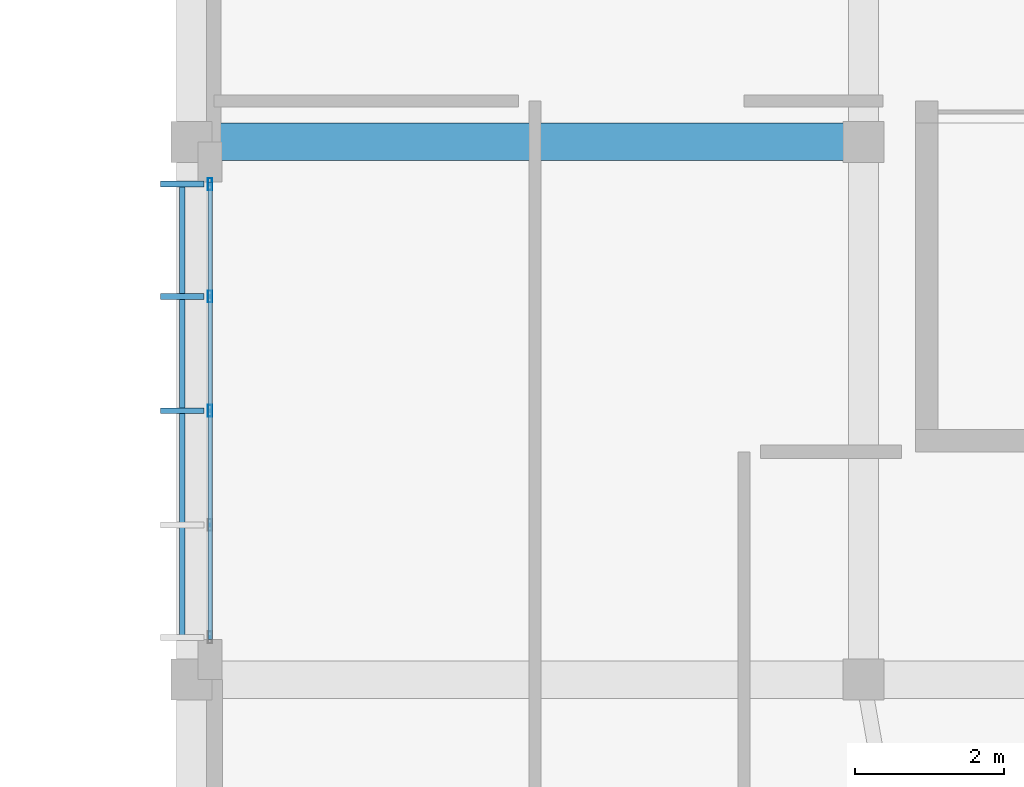
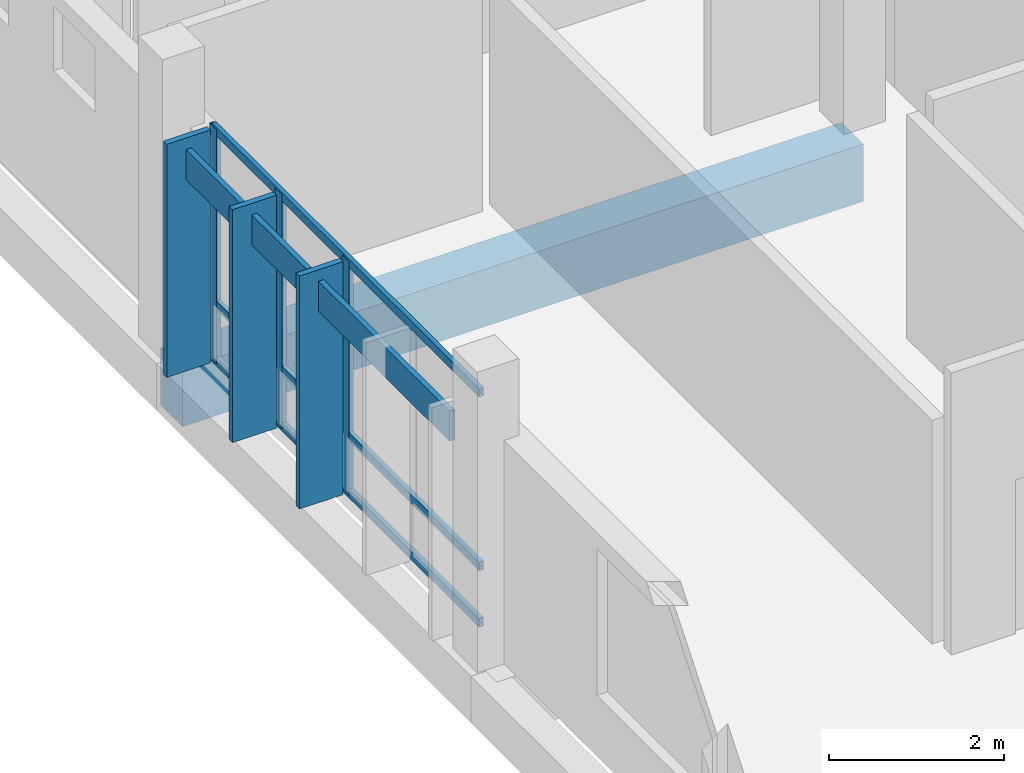
# One storey, part 24 of 94: 10 members, 1 beam, 1 element without a shape of its own.
"""IFC4 building model written with IfcOpenShell, lengths in metres."""

from ifc_helpers import new_model, si_unit, direction, frame, origin, origin_2d, place, context, subcontext, project, spatial, rectangle, hollow_rectangle, extrude, material, material_profile, profile_set, type_object, element, aggregate, save


model = new_model("IFC4")

# Units and contexts
model_context = context("Model", 3, precision=1e-05, world=origin(), true_north=direction((0.0, 1.0)))
body_context = subcontext(model_context, "Body", "Model", "MODEL_VIEW")
ifc_project = project(units=[si_unit("LENGTHUNIT", "METRE"), si_unit("AREAUNIT", "SQUARE_METRE"), si_unit("VOLUMEUNIT", "CUBIC_METRE"), si_unit("PLANEANGLEUNIT", "RADIAN"), si_unit("MASSUNIT", "GRAM", prefix="KILO")], contexts=[model_context])

# Site, building, storey
site_placement = place(None, origin())
site = spatial("IfcSite", under=ifc_project, at=site_placement, CompositionType="ELEMENT")
building_placement = place(site_placement, origin())
building = spatial("IfcBuilding", under=site, at=building_placement, Name="Chiffa Square Polytechnic", CompositionType="ELEMENT")
storey_placement = place(building_placement, frame((0.0, 0.0, 18.0)))
storey = spatial("IfcBuildingStorey", under=building, at=storey_placement, Name="L04", CompositionType="ELEMENT", Elevation=18.0)

# Beam
ifc_material_1 = material(Name="Concrete C40/50", Category="concrete")
ifc_material_profile_1 = material_profile(ifc_material_1, rectangle(XDim=0.5, YDim=0.800048828125, at=origin_2d()), Name="RC 500x800")
ifc_profile_set_1 = profile_set([ifc_material_profile_1], Name="Concrete C40/50")
beam_type = type_object("IfcBeamType", Name="BM-RC-500X800", PredefinedType="BEAM", material=ifc_profile_set_1)
beam_placement = place(storey_placement, frame((112.199951171875, 21.60009765625, -0.639892578125), z_axis=(1.0, 0.0, 0.0), x_axis=(0.0, 1.0, 0.0)))
element("IfcBeam", 1, at=beam_placement, inside=storey, type_object=beam_type, Name="Primary floor girder BM-V1-L04-X-1122-0216", PredefinedType="BEAM", context=body_context, shape_type="SweptSolid", body=[
    extrude(rectangle(XDim=0.5, YDim=0.800048828125, at=origin_2d()), origin(), (0.0, 0.0, 1.0), 9.0),
])

# Curtain wall, members
ifc_material_2 = material(Name="Aluminium EN AW-6060 T66 and glulam shading", Category="wood")
curtain_wall_type = type_object("IfcCurtainWallType", Name="CW-VERT-450X380", PredefinedType="USERDEFINED", material=ifc_material_2)
curtain_wall_placement = place(storey_placement, origin())
curtain_wall = element("IfcCurtainWall", 2, at=curtain_wall_placement, inside=storey, type_object=curtain_wall_type, Name="Curtain wall CW-V1-L04-138", ObjectType="CURTAIN WALL", PredefinedType="USERDEFINED")
ifc_material_3 = material(Name="Aluminium EN AW-6060 T66", Category="aluminium")
ifc_material_profile_2 = material_profile(ifc_material_3, hollow_rectangle(XDim=0.06005859375, YDim=0.159912109375, WallThickness=0.00390625, at=origin_2d()), Name="ALU 60x160x4")
ifc_profile_set_2 = profile_set([ifc_material_profile_2], Name="Aluminium EN AW-6060 T66")
member_type_1 = type_object("IfcMemberType", Name="CWM-ALU-65X150", PredefinedType="MULLION", material=ifc_profile_set_2)
member_1_placement = place(storey_placement, frame((112.449951171875, 21.034912109375, 0.0), z_axis=(0.0, 0.0, 1.0), x_axis=(1.0, 0.0, 0.0)))
member_1 = element("IfcMember", 3, at=member_1_placement, type_object=member_type_1, Name="Curtain wall mullion CW-V1-L04-138-M00", PredefinedType="MULLION", context=body_context, shape_type="SweptSolid", body=[
    extrude(hollow_rectangle(XDim=0.06005859375, YDim=0.159912109375, WallThickness=0.00390625, at=origin_2d()), origin(), (0.0, 0.0, 1.0), 3.27490234375),
])
member_2_placement = place(storey_placement, frame((112.449951171875, 19.530029296875, 0.0), z_axis=(0.0, 0.0, 1.0), x_axis=(1.0, 0.0, 0.0)))
member_2 = element("IfcMember", 4, at=member_2_placement, type_object=member_type_1, Name="Curtain wall mullion CW-V1-L04-138-M01", PredefinedType="MULLION", context=body_context, shape_type="SweptSolid", body=[
    extrude(hollow_rectangle(XDim=0.06005859375, YDim=0.159912109375, WallThickness=0.00390625, at=origin_2d()), origin(), (0.0, 0.0, 1.0), 3.27490234375),
])
member_3_placement = place(storey_placement, frame((112.449951171875, 18.0, 0.0), z_axis=(0.0, 0.0, 1.0), x_axis=(1.0, 0.0, 0.0)))
member_3 = element("IfcMember", 5, at=member_3_placement, type_object=member_type_1, Name="Curtain wall mullion CW-V1-L04-138-M02", PredefinedType="MULLION", context=body_context, shape_type="SweptSolid", body=[
    extrude(hollow_rectangle(XDim=0.06005859375, YDim=0.159912109375, WallThickness=0.00390625, at=origin_2d()), origin(), (0.0, 0.0, 1.0), 3.27490234375),
])
ifc_material_4 = material(Name="Glulam GL28h", Category="wood")
ifc_material_profile_3 = material_profile(ifc_material_4, rectangle(XDim=0.080078125, YDim=0.580078125, at=origin_2d()), Name="GL28h 80x580")
ifc_profile_set_3 = profile_set([ifc_material_profile_3], Name="Glulam GL28h")
member_type_2 = type_object("IfcMemberType", Name="CWM-GL-80X580", PredefinedType="MULLION", material=ifc_profile_set_3)
member_4_placement = place(storey_placement, frame((112.077880859375, 21.034912109375, 0.010009765625), z_axis=(0.0, 0.0, 1.0), x_axis=(0.0, -1.0, 0.0)))
member_4 = element("IfcMember", 6, at=member_4_placement, type_object=member_type_2, Name="Exterior glulam solar fin CW-V1-L04-138-FN00", PredefinedType="MULLION", context=body_context, shape_type="SweptSolid", body=[
    extrude(rectangle(XDim=0.080078125, YDim=0.580078125, at=origin_2d()), origin(), (0.0, 0.0, 1.0), 3.2548828125),
])
member_5_placement = place(storey_placement, frame((112.077880859375, 19.530029296875, 0.010009765625), z_axis=(0.0, 0.0, 1.0), x_axis=(0.0, -1.0, 0.0)))
member_5 = element("IfcMember", 7, at=member_5_placement, type_object=member_type_2, Name="Exterior glulam solar fin CW-V1-L04-138-FN01", PredefinedType="MULLION", context=body_context, shape_type="SweptSolid", body=[
    extrude(rectangle(XDim=0.080078125, YDim=0.580078125, at=origin_2d()), origin(), (0.0, 0.0, 1.0), 3.2548828125),
])
member_6_placement = place(storey_placement, frame((112.077880859375, 18.0, 0.010009765625), z_axis=(0.0, 0.0, 1.0), x_axis=(0.0, -1.0, 0.0)))
member_6 = element("IfcMember", 8, at=member_6_placement, type_object=member_type_2, Name="Exterior glulam solar fin CW-V1-L04-138-FN02", PredefinedType="MULLION", context=body_context, shape_type="SweptSolid", body=[
    extrude(rectangle(XDim=0.080078125, YDim=0.580078125, at=origin_2d()), origin(), (0.0, 0.0, 1.0), 3.2548828125),
])
ifc_material_profile_4 = material_profile(ifc_material_3, hollow_rectangle(XDim=0.06005859375, YDim=0.1201171875, WallThickness=0.00390625, at=origin_2d()), Name="ALU 60x120x4")
ifc_profile_set_4 = profile_set([ifc_material_profile_4], Name="Aluminium EN AW-6060 T66")
member_type_3 = type_object("IfcMemberType", Name="CWT-ALU-65X120", PredefinedType="USERDEFINED", material=ifc_profile_set_4)
member_7_placement = place(storey_placement, frame((112.449951171875, 21.06201171875, 0.030029296875), z_axis=(0.0, -1.0, 0.0), x_axis=(1.0, 0.0, 0.0)))
member_7 = element("IfcMember", 9, at=member_7_placement, type_object=member_type_3, Name="Curtain wall transom CW-V1-L04-138-T01", ObjectType="TRANSOM", PredefinedType="USERDEFINED", context=body_context, shape_type="SweptSolid", body=[
    extrude(hollow_rectangle(XDim=0.06005859375, YDim=0.1201171875, WallThickness=0.00390625, at=origin_2d()), origin(), (0.0, 0.0, 1.0), 6.1240234375),
])
member_8_placement = place(storey_placement, frame((112.449951171875, 21.06201171875, 0.820068359375), z_axis=(0.0, -1.0, 0.0), x_axis=(1.0, 0.0, 0.0)))
member_8 = element("IfcMember", 10, at=member_8_placement, type_object=member_type_3, Name="Curtain wall transom CW-V1-L04-138-T02", ObjectType="TRANSOM", PredefinedType="USERDEFINED", context=body_context, shape_type="SweptSolid", body=[
    extrude(hollow_rectangle(XDim=0.06005859375, YDim=0.1201171875, WallThickness=0.00390625, at=origin_2d()), origin(), (0.0, 0.0, 1.0), 6.1240234375),
])
member_9_placement = place(storey_placement, frame((112.449951171875, 21.06201171875, 3.2451171875), z_axis=(0.0, -1.0, 0.0), x_axis=(1.0, 0.0, 0.0)))
member_9 = element("IfcMember", 11, at=member_9_placement, type_object=member_type_3, Name="Curtain wall transom CW-V1-L04-138-T03", ObjectType="TRANSOM", PredefinedType="USERDEFINED", context=body_context, shape_type="SweptSolid", body=[
    extrude(hollow_rectangle(XDim=0.06005859375, YDim=0.1201171875, WallThickness=0.00390625, at=origin_2d()), origin(), (0.0, 0.0, 1.0), 6.1240234375),
])
ifc_material_profile_5 = material_profile(ifc_material_4, rectangle(XDim=0.070068359375, YDim=0.419921875, at=origin_2d()), Name="GL28h 70x420")
ifc_profile_set_5 = profile_set([ifc_material_profile_5], Name="Glulam GL28h")
member_type_4 = type_object("IfcMemberType", Name="CWT-GL-70X420", PredefinedType="USERDEFINED", material=ifc_profile_set_5)
member_10_placement = place(storey_placement, frame((112.077880859375, 21.034912109375, 2.89501953125), z_axis=(0.0, -1.0, 0.0), x_axis=(1.0, 0.0, 0.0)))
member_10 = element("IfcMember", 12, at=member_10_placement, type_object=member_type_4, Name="Exterior glulam brise-soleil CW-V1-L04-138-BS01", ObjectType="TRANSOM", PredefinedType="USERDEFINED", context=body_context, shape_type="SweptSolid", body=[
    extrude(rectangle(XDim=0.070068359375, YDim=0.419921875, at=origin_2d()), origin(), (0.0, 0.0, 1.0), 6.06982421875),
])
aggregate(curtain_wall, [member_1, member_4, member_2, member_5, member_3, member_6, member_7, member_8, member_9, member_10])

save(model, "model.ifc")
